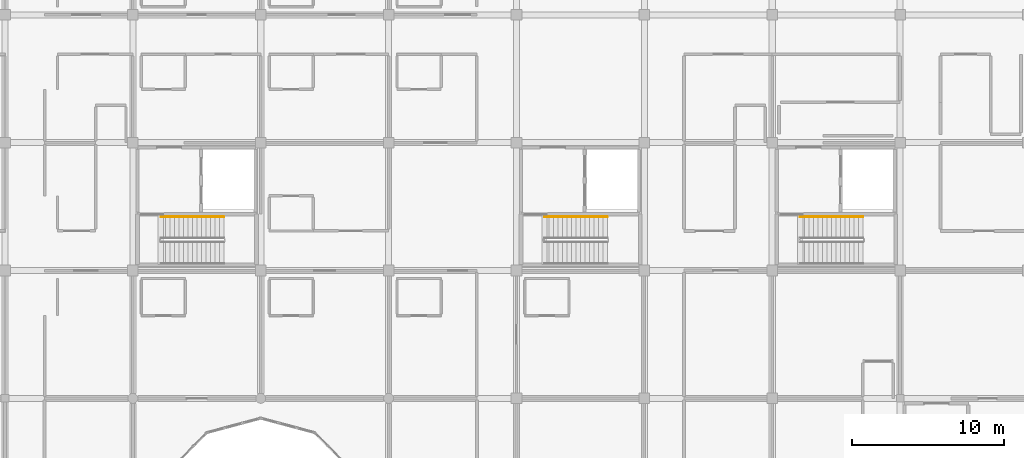
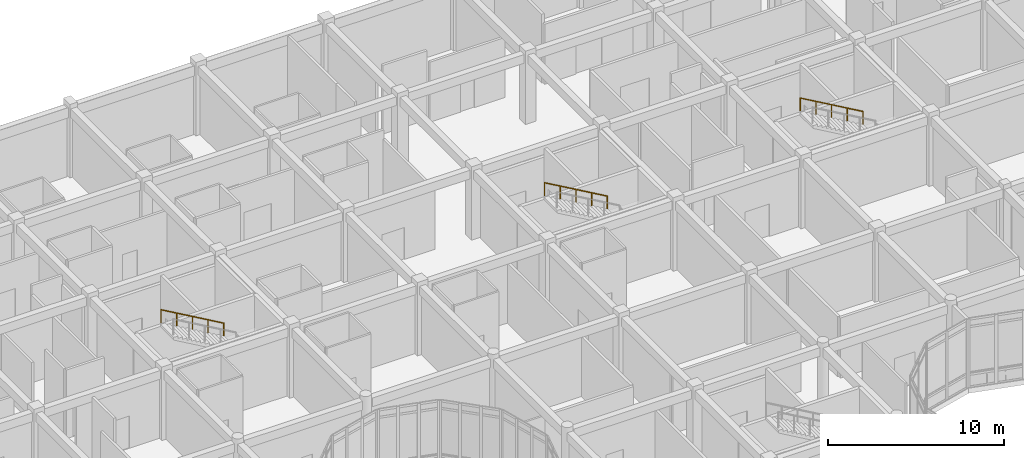
# One storey, part 128 of 134: 3 railings.
"""IFC4 building model written with IfcOpenShell, lengths in metres."""

import ifcopenshell
import ifcopenshell.guid

model = None  # the IFC model being written
_history = None  # IfcOwnerHistory: only IFC2X3 demands one
_inside = {}  # id of a spatial element -> (the spatial element, [elements in it])
_under = {}  # id of a project, library or spatial element -> (it, [spatial elements below it])
_declared = {}  # id of a project -> (the project, [libraries it declares])
_typed = {}  # id of a type object -> (the type object, [elements of that type])
_made_of = {}  # id of a material, layer set ... -> (it, [elements and type objects made of it])


def new_model(schema):
    """Start an empty IFC model of exactly this schema.

    Asked for "IFC4X3", IfcOpenShell would pick the latest addendum, in which some entities
    have other attributes; the version numbers below select the first issue.
    IFC2X3 requires an IfcOwnerHistory on every rooted entity: one is made here for all.
    """
    global model, _history
    if schema == "IFC4X3":
        model = ifcopenshell.file(schema_version=(4, 3, 0, 0))
    else:
        model = ifcopenshell.file(schema=schema)
    _inside.clear()
    _under.clear()
    _declared.clear()
    _typed.clear()
    _made_of.clear()
    _history = None
    if model.schema == "IFC2X3":
        org = make("IfcOrganization", Name="unknown")
        user = make(
            "IfcPersonAndOrganization",
            ThePerson=make("IfcPerson", FamilyName="unknown"),
            TheOrganization=org,
        )
        app = make(
            "IfcApplication",
            ApplicationDeveloper=org,
            Version="unknown",
            ApplicationFullName="unknown",
            ApplicationIdentifier="unknown",
        )
        _history = make(
            "IfcOwnerHistory",
            OwningUser=user,
            OwningApplication=app,
            ChangeAction="ADDED",
            CreationDate=0,
        )
    return model


def make(cls, **values):
    """One entity of the class cls with the attributes given. An attribute that is None is left unset."""
    return model.create_entity(
        cls, **{name: value for name, value in values.items() if value is not None}
    )


def rooted(cls, **values):
    """An entity with a GlobalId (a new one), such as an element, a storey or a relation."""
    return make(cls, GlobalId=ifcopenshell.guid.new(), OwnerHistory=_history, **values)


def si_unit(unit_type, name, prefix=None):
    """IfcSIUnit, for example si_unit("LENGTHUNIT", "METRE", prefix="MILLI")."""
    return make("IfcSIUnit", UnitType=unit_type, Prefix=prefix, Name=name)


def assignment(units):
    """IfcUnitAssignment: the units of a project."""
    return None if units is None else make("IfcUnitAssignment", Units=units)


def point(xyz):
    """IfcCartesianPoint."""
    return None if xyz is None else make("IfcCartesianPoint", Coordinates=xyz)


def direction(xyz):
    """IfcDirection."""
    return None if xyz is None else make("IfcDirection", DirectionRatios=xyz)


def frame(location, z_axis=None, x_axis=None):
    """IfcAxis2Placement3D, a coordinate frame: its origin and axes. An axis left out is left unset."""
    return make(
        "IfcAxis2Placement3D",
        Location=point(location),
        Axis=direction(z_axis),
        RefDirection=direction(x_axis),
    )


def frame_2d(location, x_axis=None):
    """IfcAxis2Placement2D, a coordinate frame in the plane: its origin and x axis."""
    return make(
        "IfcAxis2Placement2D", Location=point(location), RefDirection=direction(x_axis)
    )


def origin():
    """The frame at (0, 0, 0) with its axes left unset."""
    return frame((0.0, 0.0, 0.0))


def origin_2d():
    """The frame at (0, 0) in the plane with its x axis left unset."""
    return frame_2d((0.0, 0.0))


def place(relative_to, where):
    """IfcLocalPlacement: puts the frame where relative to a parent placement (None: the world)."""
    return make(
        "IfcLocalPlacement", PlacementRelTo=relative_to, RelativePlacement=where
    )


def context(
    kind, dimensions, precision=None, world=None, true_north=None, identifier=None
):
    """IfcGeometricRepresentationContext, for example the 3D "Model" context."""
    return make(
        "IfcGeometricRepresentationContext",
        ContextIdentifier=identifier,
        ContextType=kind,
        CoordinateSpaceDimension=dimensions,
        Precision=precision,
        WorldCoordinateSystem=world,
        TrueNorth=true_north,
    )


def subcontext(parent, identifier, kind, view, scale=None):
    """IfcGeometricRepresentationSubContext, for example "Body" below "Model"."""
    return make(
        "IfcGeometricRepresentationSubContext",
        ContextIdentifier=identifier,
        ContextType=kind,
        ParentContext=parent,
        TargetScale=scale,
        TargetView=view,
    )


def project(units=None, contexts=None):
    """IfcProject with its units and contexts."""
    return rooted(
        "IfcProject",
        Name="project",
        RepresentationContexts=contexts,
        UnitsInContext=assignment(units),
    )


def spatial(cls, under=None, at=None, **own):
    """A site, building, storey or space (cls), placed at a placement, below another one or the project."""
    s = rooted(cls, ObjectPlacement=at, **own)
    if under is not None:
        _under.setdefault(under.id(), (under, []))[1].append(s)
    return s


def profile(cls, at=None, kind="AREA", **sizes):
    """A parametric profile (cls). Its sizes go by their IFC names, for example OverallWidth=200.0."""
    return make(cls, ProfileType=kind, Position=at, **sizes)


def circle(**sizes):
    """IfcCircleProfileDef."""
    return profile("IfcCircleProfileDef", **sizes)


def extrude(swept, where, along, depth):
    """IfcExtrudedAreaSolid: the profile swept, set in the frame where, extruded along a direction by depth."""
    return make(
        "IfcExtrudedAreaSolid",
        SweptArea=swept,
        Position=where,
        ExtrudedDirection=direction(along),
        Depth=depth,
    )


def shape(context_of_items, identifier, shape_type, items):
    """IfcShapeRepresentation: the items that make up one representation, for example the "Body"."""
    return make(
        "IfcShapeRepresentation",
        ContextOfItems=context_of_items,
        RepresentationIdentifier=identifier,
        RepresentationType=shape_type,
        Items=items,
    )


def material(Name=None, Category=None):
    """IfcMaterial."""
    return make("IfcMaterial", Name=Name, Category=Category)


def made_of(thing, what):
    """Note that an element or type object is made of a material, layer set ...; save() writes the relation."""
    if what is not None:
        _made_of.setdefault(what.id(), (what, []))[1].append(thing)
    return thing


def type_object(cls, material=None, **own):
    """A type object (cls), such as IfcWallType, which elements share."""
    return made_of(rooted(cls, **own), material)


def element(
    cls,
    number,
    at=None,
    inside=None,
    cuts=None,
    type_object=None,
    material=None,
    context=None,
    identifier="Body",
    shape_type=None,
    held_by="IfcProductDefinitionShape",
    body=None,
    shapes=None,
    **own,
):
    """One element of the class cls, such as IfcWall. Its Tag is "e" and its number.

    at: its placement. inside: the storey or other place that contains it. cuts: it is an
    opening in that element (IfcRelVoidsElement). A single representation is given by context,
    identifier, shape_type and body (its items); several are given by shapes. held_by: the class
    of the entity that holds the representations. save() writes the other relations.
    """
    e = rooted(cls, Tag="e%d" % number, ObjectPlacement=at, **own)
    if body is not None:
        shapes = [shape(context, identifier, shape_type, body)]
    if shapes is not None:
        e.Representation = make(held_by, Representations=shapes)
    if inside is not None:
        _inside.setdefault(inside.id(), (inside, []))[1].append(e)
    if cuts is not None:
        rooted(
            "IfcRelVoidsElement", RelatingBuildingElement=cuts, RelatedOpeningElement=e
        )
    if type_object is not None:
        _typed.setdefault(type_object.id(), (type_object, []))[1].append(e)
    return made_of(e, material)


def aggregate(whole, parts):
    """IfcRelAggregates: a whole, such as a stair, and the parts it consists of."""
    return rooted("IfcRelAggregates", RelatingObject=whole, RelatedObjects=parts)


def save(model, path):
    """Write the relations noted so far, then the file.

    IfcRelAggregates (storeys below a building ...), IfcRelContainedInSpatialStructure (elements
    in a storey), IfcRelDefinesByType, IfcRelAssociatesMaterial and IfcRelDeclares: one each for
    every whole, place, type object, material and project.
    """
    for whole, parts in _under.values():
        aggregate(whole, parts)
    for where, things in _inside.values():
        rooted(
            "IfcRelContainedInSpatialStructure",
            RelatedElements=things,
            RelatingStructure=where,
        )
    for kind, things in _typed.values():
        rooted("IfcRelDefinesByType", RelatedObjects=things, RelatingType=kind)
    for what, things in _made_of.values():
        rooted("IfcRelAssociatesMaterial", RelatedObjects=things, RelatingMaterial=what)
    for by, libraries in _declared.values():
        rooted("IfcRelDeclares", RelatingContext=by, RelatedDefinitions=libraries)
    model.write(path)


model = new_model("IFC4")

# Units and contexts
model_context = context("Model", 3, precision=1e-05, world=origin(), true_north=direction((0.0, 1.0)))
body_context = subcontext(model_context, "Body", "Model", "MODEL_VIEW")
ifc_project = project(units=[si_unit("LENGTHUNIT", "METRE"), si_unit("AREAUNIT", "SQUARE_METRE"), si_unit("VOLUMEUNIT", "CUBIC_METRE"), si_unit("PLANEANGLEUNIT", "RADIAN"), si_unit("MASSUNIT", "GRAM", prefix="KILO")], contexts=[model_context])

# Site, building, storey
site_placement = place(None, origin())
site = spatial("IfcSite", under=ifc_project, at=site_placement, CompositionType="ELEMENT")
building_placement = place(site_placement, origin())
building = spatial("IfcBuilding", under=site, at=building_placement, Name="Bramfleet General Hospital", CompositionType="ELEMENT")
storey_placement = place(building_placement, frame((0.0, 0.0, 9.300048828125)))
storey = spatial("IfcBuildingStorey", under=building, at=storey_placement, Name="L02", CompositionType="ELEMENT", Elevation=9.300048828125)

# Railings
ifc_material = material(Name="Stainless steel 1.4301 stair handrail", Category="steel")
railing_type = type_object("IfcRailingType", Name="RAIL-ST-HND", PredefinedType="HANDRAIL", material=ifc_material)
for number, where, name in (
    (1, (106.77001953125, 95.929931640625, 2.719970703125), "L02 ST-C4 stair handrail 2"),
    (2, (81.570068359375, 95.929931640625, 2.719970703125), "L02 ST-C5 stair handrail 2"),
    (3, (123.570068359375, 95.929931640625, 2.719970703125), "L02 ST-C6 stair handrail 2"),
):
    element("IfcRailing", number, at=place(storey_placement, frame(where)), inside=storey, type_object=railing_type, Name=name, PredefinedType="HANDRAIL", context=body_context, shape_type="SweptSolid", body=[
        extrude(circle(Radius=0.02392578125, at=origin_2d()), frame((0.0, 0.0, 0.8759765625), z_axis=(-0.866447239463, 0.0, 0.499268646349), x_axis=(0.0, -1.0, 0.0)), (0.0, 0.0, 1.0), 4.766845703125),
        extrude(circle(Radius=0.02099609375, at=origin_2d()), origin(), (0.0, 0.0, 1.0), 0.851806640625),
        extrude(circle(Radius=0.02099609375, at=origin_2d()), frame((-1.032470703125, 0.0, 0.594970703125)), (0.0, 0.0, 1.0), 0.851806640625),
        extrude(circle(Radius=0.02099609375, at=origin_2d()), frame((-2.06494140625, 0.0, 1.18994140625)), (0.0, 0.0, 1.0), 0.851806640625),
        extrude(circle(Radius=0.02099609375, at=origin_2d()), frame((-3.09765625, 0.0, 1.784912109375)), (0.0, 0.0, 1.0), 0.851806640625),
        extrude(circle(Radius=0.02099609375, at=origin_2d()), frame((-4.130126953125, 0.0, 2.3798828125)), (0.0, 0.0, 1.0), 0.851806640625),
    ])

save(model, "model.ifc")
